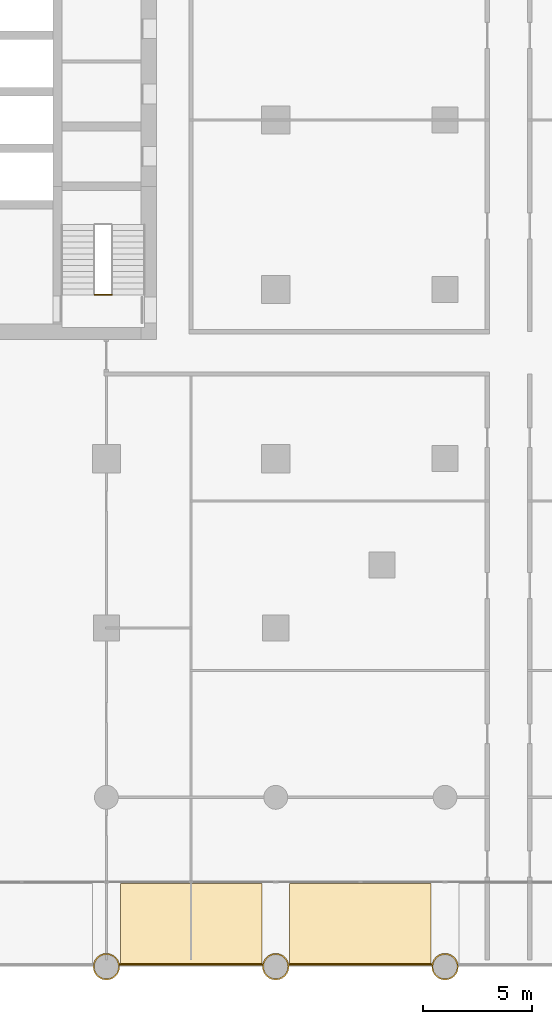
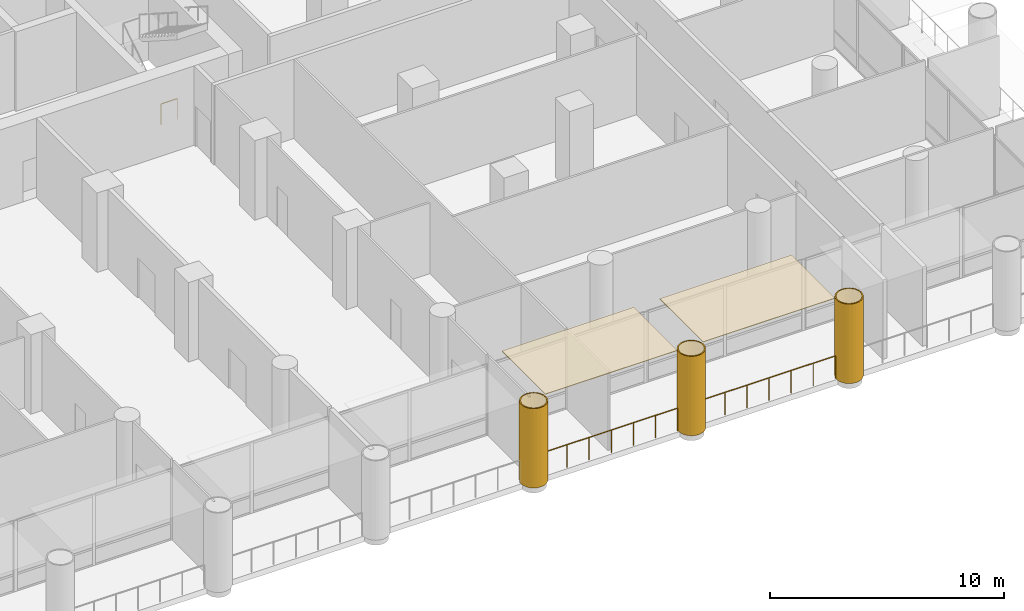
# One storey, part 20 of 23: 5 coverings, 3 railings, 1 element without a shape of its own.
"""IFC4 building model written with IfcOpenShell, lengths in metres."""

from ifc_helpers import new_model, si_unit, direction, frame, origin, origin_2d, place, context, subcontext, project, spatial, polyline, rectangle, circle, outline, extrude, material, layer, layer_set, type_object, element, aggregate, save


model = new_model("IFC4")

# Units and contexts
model_context = context("Model", 3, precision=1e-05, world=origin(), true_north=direction((0.0, 1.0)))
body_context = subcontext(model_context, "Body", "Model", "MODEL_VIEW")
ifc_project = project(units=[si_unit("LENGTHUNIT", "METRE"), si_unit("AREAUNIT", "SQUARE_METRE"), si_unit("VOLUMEUNIT", "CUBIC_METRE"), si_unit("PLANEANGLEUNIT", "RADIAN"), si_unit("MASSUNIT", "GRAM", prefix="KILO")], contexts=[model_context])

# Site, building, storey
site_placement = place(None, origin())
site = spatial("IfcSite", under=ifc_project, at=site_placement, CompositionType="ELEMENT")
building_placement = place(site_placement, origin())
building = spatial("IfcBuilding", under=site, at=building_placement, Name="Ludao Terraces", CompositionType="ELEMENT")
storey_placement = place(building_placement, frame((0.0, 0.0, 10.5)))
storey = spatial("IfcBuildingStorey", under=building, at=storey_placement, Name="L02", CompositionType="ELEMENT", Elevation=10.5)

# Coverings
ifc_material_1 = material(Name="Stone-effect cement board ceiling lining", Category="masonry")
ifc_layer_1 = layer(ifc_material_1, 0.030029296875)
ifc_layer_set_1 = layer_set([ifc_layer_1], Name="ENV Arcade ceiling lining 30")
covering_type_1 = type_object("IfcCoveringType", Name="ENV Arcade ceiling lining 30", PredefinedType="CEILING", material=ifc_layer_set_1)
for number, where, z_axis, x_axis, name in (
    (1, (96.699951171875, 27.9599609375, 4.169921875), (0.0, 0.0, 1.0), (1.0, 0.0, 0.0), "CL-L02-S6"),
    (2, (104.5, 27.9599609375, 4.169921875), (0.0, 0.0, 1.0), (1.0, 0.0, 0.0), "CL-L02-S7"),
):
    element("IfcCovering", number, at=place(storey_placement, frame(where, z_axis=z_axis, x_axis=x_axis)), inside=storey, type_object=covering_type_1, Name=name, PredefinedType="CEILING", context=body_context, shape_type="SweptSolid", body=[
        extrude(rectangle(XDim=6.52001953125, YDim=3.719970703125, at=origin_2d()), origin(), (0.0, 0.0, 1.0), 0.030029296875),
    ])

# Railings
ifc_material_2 = material(Name="Steel Q235", Category="steel")
railing_type_1 = type_object("IfcRailingType", Name="ENV Open-edge guard 1200", PredefinedType="GUARDRAIL", material=ifc_material_2)
for number, where, name in (
    (3, (93.419921875, 26.10009765625, 0.0), "Guard L02 S7"),
    (4, (101.219970703125, 26.10009765625, 0.0), "Guard L02 S8"),
):
    element("IfcRailing", number, at=place(storey_placement, frame(where)), inside=storey, type_object=railing_type_1, Name=name, PredefinedType="GUARDRAIL", context=body_context, shape_type="SweptSolid", body=[
        extrude(circle(Radius=0.02392578125, at=origin_2d()), frame((0.0, 0.0, 1.17578125), z_axis=(1.0, 0.0, 0.0), x_axis=(0.0, 1.0, 0.0)), (0.0, 0.0, 1.0), 6.56005859375),
        extrude(circle(Radius=0.02099609375, at=origin_2d()), origin(), (0.0, 0.0, 1.0), 1.15185546875),
        extrude(circle(Radius=0.02099609375, at=origin_2d()), frame((1.09326171875, 0.0, 0.0)), (0.0, 0.0, 1.0), 1.15185546875),
        extrude(circle(Radius=0.02099609375, at=origin_2d()), frame((2.186767578125, 0.0, 0.0)), (0.0, 0.0, 1.0), 1.15185546875),
        extrude(circle(Radius=0.02099609375, at=origin_2d()), frame((3.280029296875, 0.0, 0.0)), (0.0, 0.0, 1.0), 1.15185546875),
        extrude(circle(Radius=0.02099609375, at=origin_2d()), frame((4.373291015625, 0.0, 0.0)), (0.0, 0.0, 1.0), 1.15185546875),
        extrude(circle(Radius=0.02099609375, at=origin_2d()), frame((5.466796875, 0.0, 0.0)), (0.0, 0.0, 1.0), 1.15185546875),
        extrude(circle(Radius=0.02099609375, at=origin_2d()), frame((6.56005859375, 0.0, 0.0)), (0.0, 0.0, 1.0), 1.15185546875),
    ])

# Coverings
ifc_material_3 = material(Name="Granite cladding", Category="masonry")
ifc_layer_2 = layer(ifc_material_3, 0.06005859375)
ifc_layer_set_2 = layer_set([ifc_layer_2], Name="ENV Stone column casing 60")
covering_type_2 = type_object("IfcCoveringType", Name="ENV Stone column casing 60", PredefinedType="CLADDING", material=ifc_layer_set_2)
covering_1_placement = place(storey_placement, origin())
element("IfcCovering", 5, at=covering_1_placement, inside=storey, type_object=covering_type_2, Name="CC-L02-G0312x-156", PredefinedType="CLADDING", context=body_context, shape_type="SweptSolid", body=[
    extrude(outline(polyline([(93.414794921875, 26.0), (93.393798828125, 26.1591796875), (93.332275390625, 26.307373046875), (93.234619140625, 26.4345703125), (93.107421875, 26.532470703125), (92.959228515625, 26.59375), (92.800048828125, 26.61474609375), (92.640869140625, 26.59375), (92.49267578125, 26.532470703125), (92.365234375, 26.4345703125), (92.267578125, 26.307373046875), (92.206298828125, 26.1591796875), (92.185302734375, 26.0), (92.206298828125, 25.8408203125), (92.267578125, 25.692626953125), (92.365234375, 25.5654296875), (92.49267578125, 25.467529296875), (92.640869140625, 25.40625), (92.800048828125, 25.38525390625), (92.959228515625, 25.40625), (93.107421875, 25.467529296875), (93.234619140625, 25.5654296875), (93.332275390625, 25.692626953125), (93.393798828125, 25.8408203125), (93.414794921875, 26.0)]), holes=[polyline([(93.3359375, 25.8564453125), (93.280517578125, 25.72265625), (93.1923828125, 25.607666015625), (93.077392578125, 25.51953125), (92.943603515625, 25.464111328125), (92.800048828125, 25.4453125), (92.656494140625, 25.464111328125), (92.522705078125, 25.51953125), (92.40771484375, 25.607666015625), (92.319580078125, 25.72265625), (92.26416015625, 25.8564453125), (92.245361328125, 26.0), (92.26416015625, 26.1435546875), (92.319580078125, 26.27734375), (92.40771484375, 26.392333984375), (92.522705078125, 26.48046875), (92.656494140625, 26.535888671875), (92.800048828125, 26.5546875), (92.943603515625, 26.535888671875), (93.077392578125, 26.48046875), (93.1923828125, 26.392333984375), (93.280517578125, 26.27734375), (93.3359375, 26.1435546875), (93.354736328125, 26.0), (93.3359375, 25.8564453125)])]), origin(), (0.0, 0.0, 1.0), 4.14990234375),
])
covering_2_placement = place(storey_placement, origin())
element("IfcCovering", 6, at=covering_2_placement, inside=storey, type_object=covering_type_2, Name="CC-L02-G0390x-156", PredefinedType="CLADDING", context=body_context, shape_type="SweptSolid", body=[
    extrude(outline(polyline([(101.21484375, 26.0), (101.19384765625, 26.1591796875), (101.13232421875, 26.307373046875), (101.03466796875, 26.4345703125), (100.907470703125, 26.532470703125), (100.759033203125, 26.59375), (100.60009765625, 26.61474609375), (100.44091796875, 26.59375), (100.292724609375, 26.532470703125), (100.165283203125, 26.4345703125), (100.067626953125, 26.307373046875), (100.006103515625, 26.1591796875), (99.9853515625, 26.0), (100.006103515625, 25.8408203125), (100.067626953125, 25.692626953125), (100.165283203125, 25.5654296875), (100.292724609375, 25.467529296875), (100.44091796875, 25.40625), (100.60009765625, 25.38525390625), (100.759033203125, 25.40625), (100.907470703125, 25.467529296875), (101.03466796875, 25.5654296875), (101.13232421875, 25.692626953125), (101.19384765625, 25.8408203125), (101.21484375, 26.0)]), holes=[polyline([(101.1357421875, 25.8564453125), (101.080322265625, 25.72265625), (100.9921875, 25.607666015625), (100.87744140625, 25.51953125), (100.74365234375, 25.464111328125), (100.60009765625, 25.4453125), (100.45654296875, 25.464111328125), (100.322509765625, 25.51953125), (100.207763671875, 25.607666015625), (100.11962890625, 25.72265625), (100.064208984375, 25.8564453125), (100.045166015625, 26.0), (100.064208984375, 26.1435546875), (100.11962890625, 26.27734375), (100.207763671875, 26.392333984375), (100.322509765625, 26.48046875), (100.45654296875, 26.535888671875), (100.60009765625, 26.5546875), (100.74365234375, 26.535888671875), (100.87744140625, 26.48046875), (100.9921875, 26.392333984375), (101.080322265625, 26.27734375), (101.1357421875, 26.1435546875), (101.15478515625, 26.0), (101.1357421875, 25.8564453125)])]), origin(), (0.0, 0.0, 1.0), 4.14990234375),
])
covering_3_placement = place(storey_placement, origin())
element("IfcCovering", 7, at=covering_3_placement, inside=storey, type_object=covering_type_2, Name="CC-L02-G0468x-156", PredefinedType="CLADDING", context=body_context, shape_type="SweptSolid", body=[
    extrude(outline(polyline([(109.0146484375, 26.0), (108.993896484375, 26.1591796875), (108.932373046875, 26.307373046875), (108.834716796875, 26.4345703125), (108.707275390625, 26.532470703125), (108.55908203125, 26.59375), (108.39990234375, 26.61474609375), (108.240966796875, 26.59375), (108.092529296875, 26.532470703125), (107.96533203125, 26.4345703125), (107.86767578125, 26.307373046875), (107.80615234375, 26.1591796875), (107.78515625, 26.0), (107.80615234375, 25.8408203125), (107.86767578125, 25.692626953125), (107.96533203125, 25.5654296875), (108.092529296875, 25.467529296875), (108.240966796875, 25.40625), (108.39990234375, 25.38525390625), (108.55908203125, 25.40625), (108.707275390625, 25.467529296875), (108.834716796875, 25.5654296875), (108.932373046875, 25.692626953125), (108.993896484375, 25.8408203125), (109.0146484375, 26.0)]), holes=[polyline([(108.935791015625, 25.8564453125), (108.88037109375, 25.72265625), (108.792236328125, 25.607666015625), (108.677490234375, 25.51953125), (108.54345703125, 25.464111328125), (108.39990234375, 25.4453125), (108.25634765625, 25.464111328125), (108.12255859375, 25.51953125), (108.0078125, 25.607666015625), (107.919677734375, 25.72265625), (107.8642578125, 25.8564453125), (107.84521484375, 26.0), (107.8642578125, 26.1435546875), (107.919677734375, 26.27734375), (108.0078125, 26.392333984375), (108.12255859375, 26.48046875), (108.25634765625, 26.535888671875), (108.39990234375, 26.5546875), (108.54345703125, 26.535888671875), (108.677490234375, 26.48046875), (108.792236328125, 26.392333984375), (108.88037109375, 26.27734375), (108.935791015625, 26.1435546875), (108.954833984375, 26.0), (108.935791015625, 25.8564453125)])]), origin(), (0.0, 0.0, 1.0), 4.14990234375),
])

# Stair, railing
ifc_material_4 = material(Name="Concrete C40", Category="concrete")
stair_type = type_object("IfcStairType", Name="INT Stair", PredefinedType="HALF_TURN_STAIR", material=ifc_material_4)
stair_placement = place(storey_placement, origin())
stair = element("IfcStair", 8, at=stair_placement, inside=storey, type_object=stair_type, Name="EXIT STAIR 3", PredefinedType="HALF_TURN_STAIR")
ifc_material_5 = material(Name="Stainless steel 304", Category="steel")
railing_type_2 = type_object("IfcRailingType", Name="INT Stair guard 1100", PredefinedType="GUARDRAIL", material=ifc_material_5)
railing_placement = place(storey_placement, frame((92.25, 56.949951171875, 0.0)))
railing = element("IfcRailing", 9, at=railing_placement, type_object=railing_type_2, Name="ST-L02-S3-E2G", PredefinedType="GUARDRAIL", context=body_context, shape_type="SweptSolid", body=[
    extrude(circle(Radius=0.02392578125, at=origin_2d()), frame((0.0, 0.0, 1.076171875), z_axis=(1.0, 0.0, 0.0), x_axis=(0.0, 1.0, 0.0)), (0.0, 0.0, 1.0), 0.800048828125),
    extrude(circle(Radius=0.02099609375, at=origin_2d()), origin(), (0.0, 0.0, 1.0), 1.052001953125),
    extrude(circle(Radius=0.02099609375, at=origin_2d()), frame((0.800048828125, 0.0, 0.0)), (0.0, 0.0, 1.0), 1.052001953125),
])
aggregate(stair, [railing])

save(model, "model.ifc")
